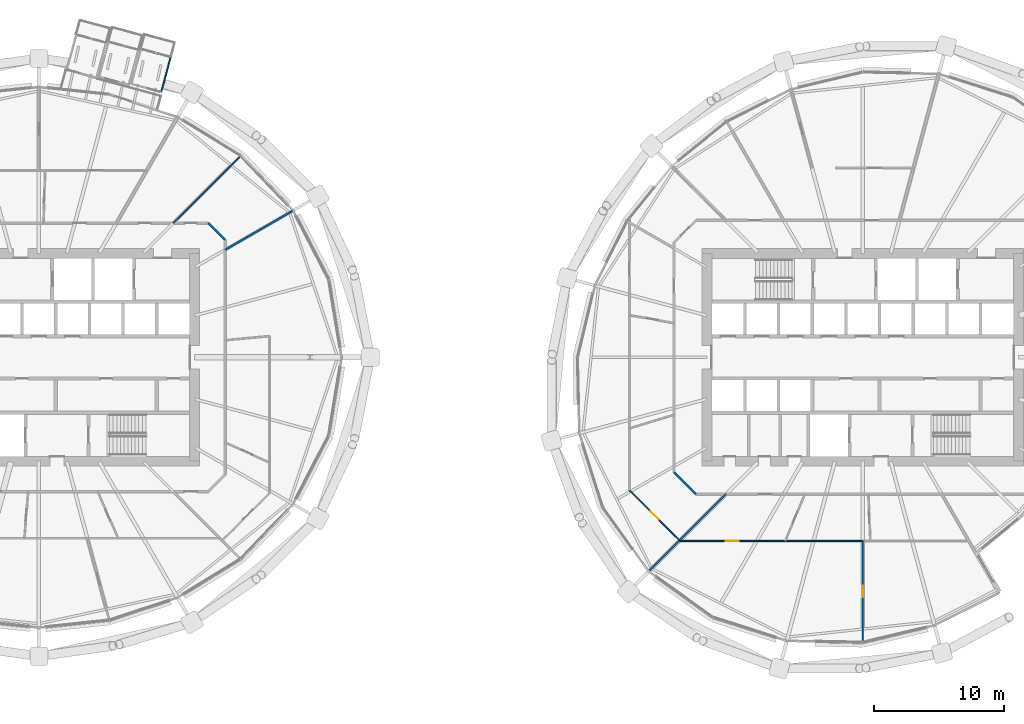
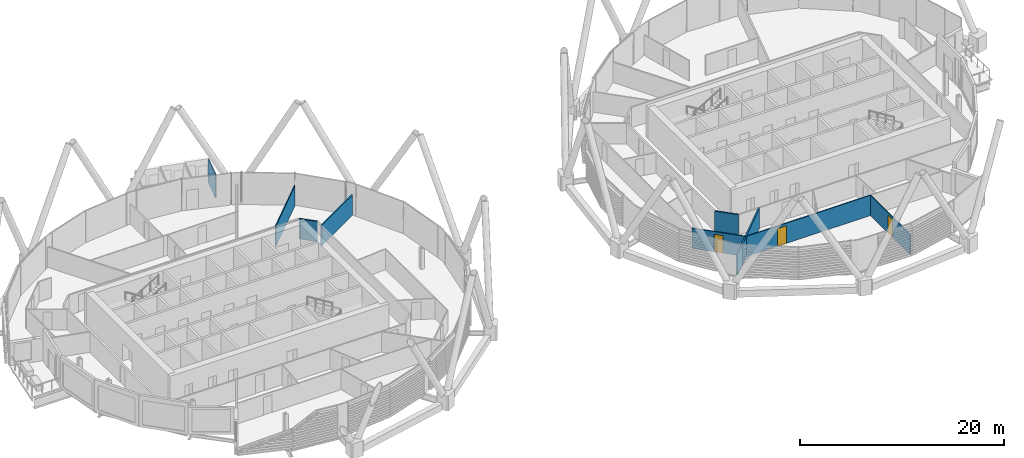
# One storey, part 27 of 38: 9 walls, 3 doors, 3 openings.
"""IFC4 building model written with IfcOpenShell, lengths in metres."""

from ifc_helpers import new_model, si_unit, direction, frame, frame_2d, origin, place, context, subcontext, project, spatial, rectangle, extrude, material, layer, layer_set, type_object, element, fill, save


model = new_model("IFC4")

# Units and contexts
model_context = context("Model", 3, precision=1e-05, world=origin(), true_north=direction((0.0, 1.0)))
body_context = subcontext(model_context, "Body", "Model", "MODEL_VIEW")
ifc_project = project(units=[si_unit("LENGTHUNIT", "METRE"), si_unit("AREAUNIT", "SQUARE_METRE"), si_unit("VOLUMEUNIT", "CUBIC_METRE"), si_unit("PLANEANGLEUNIT", "RADIAN"), si_unit("MASSUNIT", "GRAM", prefix="KILO")], contexts=[model_context])

# Site, building, storey
site_placement = place(None, origin())
site = spatial("IfcSite", under=ifc_project, at=site_placement, CompositionType="ELEMENT")
building_placement = place(site_placement, origin())
building = spatial("IfcBuilding", under=site, at=building_placement, Name="Rimbun Link Towers", CompositionType="ELEMENT")
storey_placement = place(building_placement, frame((0.0, 0.0, 104.39990234375)))
storey = spatial("IfcBuildingStorey", under=building, at=storey_placement, Name="L25", CompositionType="ELEMENT", Elevation=104.39990234375)

# Walls
ifc_material_1 = material(Name="Terracotta-faced insulated sandwich panel", Category="masonry")
ifc_layer_1 = layer(ifc_material_1, 0.10009765625)
ifc_layer_set_1 = layer_set([ifc_layer_1], Name="CAPSULE shell panel 100")
wall_type_1 = type_object("IfcWallType", Name="CAPSULE shell panel 100", PredefinedType="STANDARD", material=ifc_layer_set_1)
wall_1_placement = place(storey_placement, frame((-22.323486328125, 20.43212890625, 0.0), z_axis=(0.0, 0.0, 1.0), x_axis=(0.261855493293, 0.965107092831, 0.0)))
element("IfcWall", 1, at=wall_1_placement, inside=storey, type_object=wall_type_1, Name="CAPSULE D251.03 shell panel 1", PredefinedType="STANDARD", context=body_context, shape_type="SweptSolid", body=[
    extrude(rectangle(XDim=2.7998046875, YDim=0.10009765625, at=frame_2d((1.39990234375, 0.0))), origin(), (0.0, 0.0, 1.0), 2.85009765625),
])
ifc_material_2 = material(Name="Plasterboard on steel stud, mineral wool", Category="steel")
ifc_layer_2 = layer(ifc_material_2, 0.14990234375)
ifc_layer_set_2 = layer_set([ifc_layer_2], Name="Corridor wall EI 30 150 mm")
wall_type_2 = type_object("IfcWallType", Name="Corridor wall EI 30 150 mm", PredefinedType="PARTITIONING", material=ifc_layer_set_2)
wall_2_placement = place(storey_placement, frame((-17.39990234375, 9.0517578125, 0.0), z_axis=(0.0, 0.0, 1.0), x_axis=(-0.707106781187, 0.707106781187, 0.0)))
element("IfcWall", 2, at=wall_2_placement, inside=storey, type_object=wall_type_2, Name="Corridor wall EI 30 150 mm", PredefinedType="PARTITIONING", context=body_context, shape_type="SweptSolid", body=[
    extrude(rectangle(XDim=1.836181640625, YDim=0.14990234375, at=frame_2d((0.91796875, 0.0))), origin(), (0.0, 0.0, 1.0), 2.420166015625),
])
wall_3_placement = place(storey_placement, frame((17.199951171875, -8.851806640625, 0.0), z_axis=(0.0, 0.0, 1.0), x_axis=(0.707106781187, -0.707106781187, 0.0)))
element("IfcWall", 3, at=wall_3_placement, inside=storey, type_object=wall_type_2, Name="Corridor wall EI 30 150 mm", PredefinedType="PARTITIONING", context=body_context, shape_type="SweptSolid", body=[
    extrude(rectangle(XDim=2.401611328125, YDim=0.14990234375, at=frame_2d((1.20068359375, 0.0))), origin(), (0.0, 0.0, 1.0), 2.420166015625),
])
ifc_material_3 = material(Name="Plasterboard on steel stud", Category="steel")
ifc_layer_3 = layer(ifc_material_3, 0.10009765625)
ifc_layer_set_3 = layer_set([ifc_layer_3], Name="Plasterboard partition 100 mm")
wall_type_3 = type_object("IfcWallType", Name="Plasterboard partition 100 mm", PredefinedType="PARTITIONING", material=ifc_layer_set_3)
wall_4_placement = place(storey_placement, frame((-16.243408203125, 15.506591796875, 0.0), z_axis=(0.0, 0.0, 1.0), x_axis=(-0.707106781187, -0.707106781187, 0.0)))
element("IfcWall", 4, at=wall_4_placement, inside=storey, type_object=wall_type_3, Name="Plasterboard partition 100 mm", PredefinedType="PARTITIONING", context=body_context, shape_type="SweptSolid", body=[
    extrude(rectangle(XDim=7.29248046875, YDim=0.10009765625, at=frame_2d((3.646240234375, 0.0))), origin(), (0.0, 0.0, 1.0), 2.420166015625),
])

# Wall, opening, door
wall_5_placement = place(storey_placement, frame((13.780029296875, -10.268310546875, 0.0), z_axis=(0.0, 0.0, 1.0), x_axis=(0.707106781187, -0.707106781187, 0.0)))
wall_5 = element("IfcWall", 5, at=wall_5_placement, inside=storey, type_object=wall_type_3, Name="Plasterboard partition 100 mm", PredefinedType="PARTITIONING", context=body_context, shape_type="SweptSolid", body=[
    extrude(rectangle(XDim=5.44580078125, YDim=0.10009765625, at=frame_2d((2.722900390625, 0.0))), origin(), (0.0, 0.0, 1.0), 2.420166015625),
])
opening_1_placement = place(wall_5_placement, frame((2.27294921875, 0.0, 0.0)))
opening_1 = element("IfcOpeningElement", 6, at=opening_1_placement, cuts=wall_5, Name="Opening D04", PredefinedType="OPENING", context=body_context, shape_type="SweptSolid", body=[
    extrude(rectangle(XDim=0.89990234375, YDim=2.10009765625, at=frame_2d((0.449951171875, 1.050048828125))), frame((0.0, 0.06005859375, 0.0), z_axis=(0.0, -1.0, 0.0), x_axis=(1.0, 0.0, 0.0)), (0.0, 0.0, 1.0), 0.1201171875),
])
ifc_material_4 = material(Name="Timber door leaf", Category="wood")
door_type_1 = type_object("IfcDoorType", Name="Flush door 900", OperationType="NOTDEFINED", PredefinedType="DOOR", material=ifc_material_4)
door_1_placement = place(opening_1_placement, origin())
door_1 = element("IfcDoor", 7, at=door_1_placement, inside=storey, type_object=door_type_1, Name="Flush door 900 to Print room", OperationType="SINGLE_SWING_RIGHT", OverallHeight=2.10009765625, OverallWidth=0.89990234375, PredefinedType="DOOR", context=body_context, shape_type="SweptSolid", body=[
    extrude(rectangle(XDim=0.89990234375, YDim=2.10009765625, at=frame_2d((0.449951171875, 1.050048828125))), frame((0.0, 0.02490234375, 0.0), z_axis=(0.0, -1.0, 0.0), x_axis=(1.0, 0.0, 0.0)), (0.0, 0.0, 1.0), 0.050048828125),
])
fill(opening_1, door_1)

wall_6_placement = place(storey_placement, frame((31.75, -14.14990234375, 0.0), z_axis=(0.0, 0.0, 1.0), x_axis=(-1.0, 0.0, 0.0)))
wall_6 = element("IfcWall", 8, at=wall_6_placement, inside=storey, type_object=wall_type_3, Name="Plasterboard partition 100 mm", PredefinedType="PARTITIONING", context=body_context, shape_type="SweptSolid", body=[
    extrude(rectangle(XDim=14.14990234375, YDim=0.10009765625, at=frame_2d((7.074951171875, 0.0))), origin(), (0.0, 0.0, 1.0), 2.420166015625),
])
opening_2_placement = place(wall_6_placement, frame((9.547607421875, 0.0, 0.0)))
opening_2 = element("IfcOpeningElement", 9, at=opening_2_placement, cuts=wall_6, Name="Opening D03", PredefinedType="OPENING", context=body_context, shape_type="SweptSolid", body=[
    extrude(rectangle(XDim=1.0, YDim=2.10009765625, at=frame_2d((0.5, 1.050048828125))), frame((0.0, 0.06005859375, 0.0), z_axis=(0.0, -1.0, 0.0), x_axis=(1.0, 0.0, 0.0)), (0.0, 0.0, 1.0), 0.1201171875),
])
ifc_material_5 = material(Name="Timber door leaf", Category="wood")
door_type_2 = type_object("IfcDoorType", Name="Flush door 1000", OperationType="NOTDEFINED", PredefinedType="DOOR", material=ifc_material_5)
door_2_placement = place(opening_2_placement, origin())
door_2 = element("IfcDoor", 10, at=door_2_placement, inside=storey, type_object=door_type_2, Name="Flush door 1000 to Co-working space", OperationType="SINGLE_SWING_RIGHT", OverallHeight=2.10009765625, OverallWidth=1.0, PredefinedType="DOOR", context=body_context, shape_type="SweptSolid", body=[
    extrude(rectangle(XDim=1.0, YDim=2.10009765625, at=frame_2d((0.5, 1.050048828125))), frame((0.0, 0.02490234375, 0.0), z_axis=(0.0, -1.0, 0.0), x_axis=(1.0, 0.0, 0.0)), (0.0, 0.0, 1.0), 0.050048828125),
])
fill(opening_2, door_2)

wall_7_placement = place(storey_placement, frame((31.75, -14.14990234375, 0.0), z_axis=(0.0, 0.0, 1.0), x_axis=(0.0, -1.0, 0.0)))
wall_7 = element("IfcWall", 11, at=wall_7_placement, inside=storey, type_object=wall_type_3, Name="Plasterboard partition 100 mm", PredefinedType="PARTITIONING", context=body_context, shape_type="SweptSolid", body=[
    extrude(rectangle(XDim=7.77978515625, YDim=0.10009765625, at=frame_2d((3.889892578125, 0.0))), origin(), (0.0, 0.0, 1.0), 2.420166015625),
])
opening_3_placement = place(wall_7_placement, frame((3.439697265625, 0.0, 0.0)))
opening_3 = element("IfcOpeningElement", 12, at=opening_3_placement, cuts=wall_7, Name="Opening D04", PredefinedType="OPENING", context=body_context, shape_type="SweptSolid", body=[
    extrude(rectangle(XDim=0.89990234375, YDim=2.10009765625, at=frame_2d((0.449951171875, 1.050048828125))), frame((0.0, 0.06005859375, 0.0), z_axis=(0.0, -1.0, 0.0), x_axis=(1.0, 0.0, 0.0)), (0.0, 0.0, 1.0), 0.1201171875),
])
door_3_placement = place(opening_3_placement, origin())
door_3 = element("IfcDoor", 13, at=door_3_placement, inside=storey, type_object=door_type_1, Name="Flush door 900 to Serviced office", OperationType="SINGLE_SWING_LEFT", OverallHeight=2.10009765625, OverallWidth=0.89990234375, PredefinedType="DOOR", context=body_context, shape_type="SweptSolid", body=[
    extrude(rectangle(XDim=0.89990234375, YDim=2.10009765625, at=frame_2d((0.449951171875, 1.050048828125))), frame((0.0, 0.02490234375, 0.0), z_axis=(0.0, -1.0, 0.0), x_axis=(1.0, 0.0, 0.0)), (0.0, 0.0, 1.0), 0.050048828125),
])
fill(opening_3, door_3)

# Walls
ifc_material_6 = material(Name="Plasterboard on steel stud, mineral wool", Category="steel")
ifc_layer_4 = layer(ifc_material_6, 0.14990234375)
ifc_layer_set_4 = layer_set([ifc_layer_4], Name="Tenancy separation wall EI 60 150 mm")
wall_type_4 = type_object("IfcWallType", Name="Tenancy separation wall EI 60 150 mm", PredefinedType="PARTITIONING", material=ifc_layer_set_4)
wall_8_placement = place(storey_placement, frame((-17.39990234375, 8.284912109375, 0.0), z_axis=(0.0, 0.0, 1.0), x_axis=(0.866023117852, 0.500003959331, 0.0)))
element("IfcWall", 14, at=wall_8_placement, inside=storey, type_object=wall_type_4, Name="Tenancy separation wall EI 60 150 mm", PredefinedType="PARTITIONING", context=body_context, shape_type="SweptSolid", body=[
    extrude(rectangle(XDim=6.005859375, YDim=0.14990234375, at=frame_2d((3.0029296875, 0.0))), origin(), (0.0, 0.0, 1.0), 2.420166015625),
])
wall_9_placement = place(storey_placement, frame((21.199951171875, -10.550048828125, 0.0), z_axis=(0.0, 0.0, 1.0), x_axis=(-0.707106781187, -0.707106781187, 0.0)))
element("IfcWall", 15, at=wall_9_placement, inside=storey, type_object=wall_type_4, Name="Tenancy separation wall EI 60 150 mm", PredefinedType="PARTITIONING", context=body_context, shape_type="SweptSolid", body=[
    extrude(rectangle(XDim=8.36279296875, YDim=0.14990234375, at=frame_2d((4.181396484375, 0.0))), origin(), (0.0, 0.0, 1.0), 2.420166015625),
])

save(model, "model.ifc")
